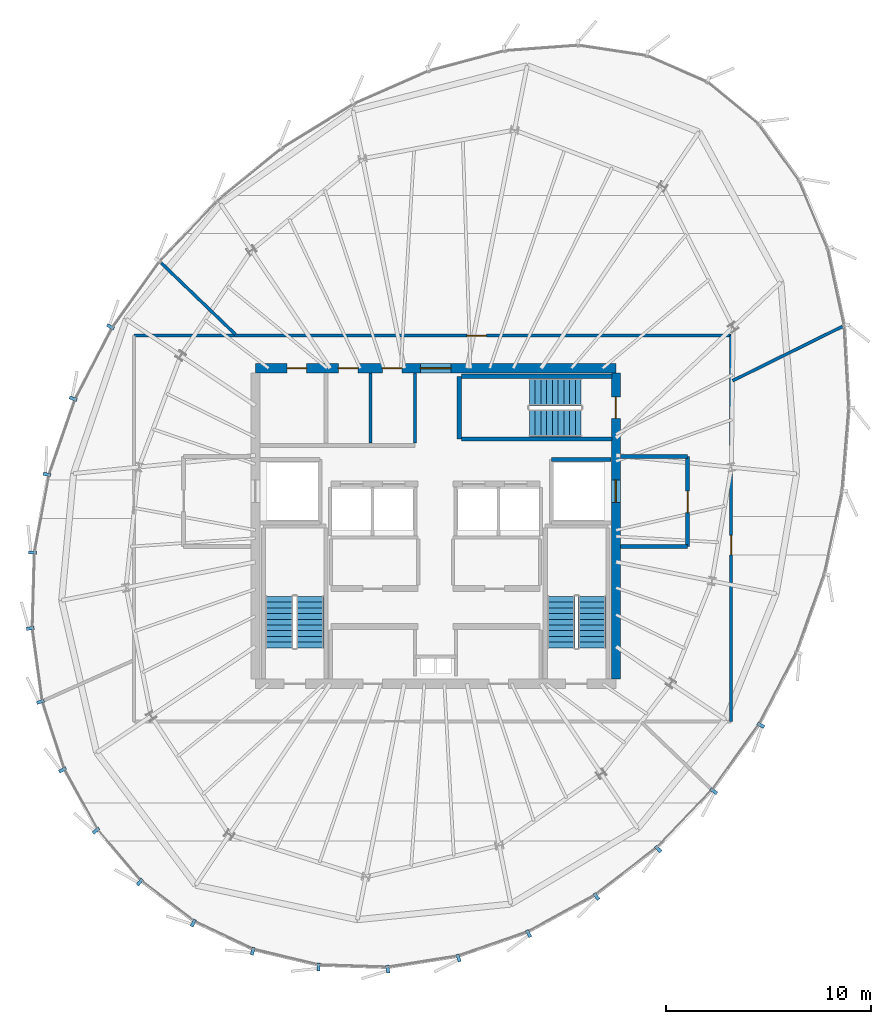
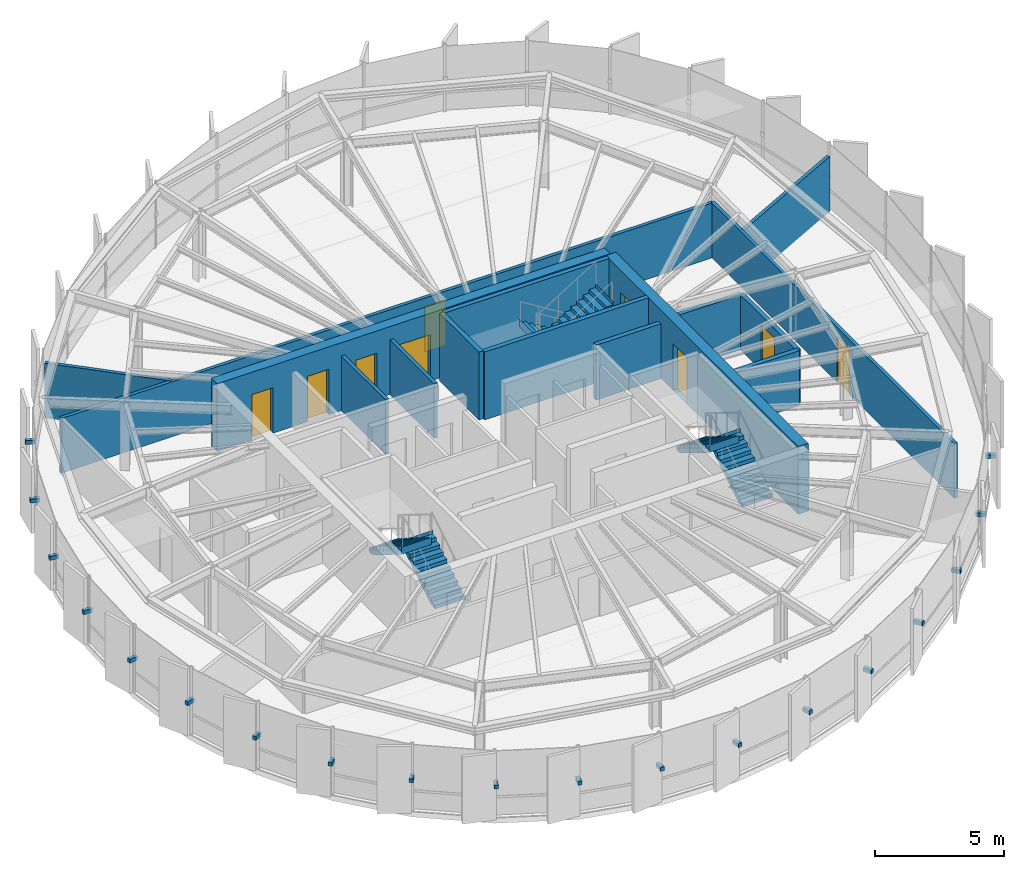
# One storey, part 26 of 31: 19 discrete accessories, 15 walls, 9 doors, 6 stair flights, 9 openings, 3 elements without a shape of their own.
"""IFC4 building model written with IfcOpenShell, lengths in metres."""

from ifc_helpers import new_model, si_unit, direction, frame, frame_2d, origin, origin_2d, place, context, subcontext, project, spatial, polyline, rectangle, outline, extrude, source, transform, mapped, material, layer, layer_set, type_object, element, fill, aggregate, save


model = new_model("IFC4")

# Units and contexts
model_context = context("Model", 3, precision=1e-05, world=origin(), true_north=direction((0.0, 1.0)))
body_context = subcontext(model_context, "Body", "Model", "MODEL_VIEW")
ifc_project = project(units=[si_unit("LENGTHUNIT", "METRE"), si_unit("AREAUNIT", "SQUARE_METRE"), si_unit("VOLUMEUNIT", "CUBIC_METRE"), si_unit("PLANEANGLEUNIT", "RADIAN"), si_unit("MASSUNIT", "GRAM", prefix="KILO"), si_unit("THERMODYNAMICTEMPERATUREUNIT", "KELVIN")], contexts=[model_context])

# Site, building, storey
site_placement = place(None, origin())
site = spatial("IfcSite", under=ifc_project, at=site_placement, CompositionType="ELEMENT")
building_placement = place(site_placement, origin())
building = spatial("IfcBuilding", under=site, at=building_placement, Name="Kethvar Cultural Tower", CompositionType="ELEMENT")
storey_placement = place(building_placement, frame((0.0, 0.0, 269.800048828125)))
storey = spatial("IfcBuildingStorey", under=building, at=storey_placement, Name="L71", CompositionType="ELEMENT", Elevation=269.800048828125)

# Wall, openings, doors
ifc_material_1 = material(Name="Concrete C50/60", Category="concrete")
ifc_layer_1 = layer(ifc_material_1, 0.449951171875, Name="Concrete C50/60", Category="concrete")
ifc_layer_set_1 = layer_set([ifc_layer_1], Name="Concrete C50/60 (450 mm)")
wall_type_1 = type_object("IfcWallType", Name="WL-CORE-450", PredefinedType="SHEAR", material=ifc_layer_set_1)
wall_1_placement = place(storey_placement, frame((55.60009765625, 35.5, 0.0), z_axis=(0.0, 0.0, 1.0), x_axis=(-1.0, 0.0, 0.0)))
wall_1 = element("IfcWall", 1, at=wall_1_placement, inside=storey, type_object=wall_type_1, Name="L71 Core Shear Wall N", PredefinedType="SHEAR", context=body_context, shape_type="SweptSolid", body=[
    extrude(rectangle(XDim=17.60009765625, YDim=0.449951171875, at=frame_2d((8.800048828125, 0.0))), origin(), (0.0, 0.0, 1.0), 3.2099609375),
])
opening_1_placement = place(wall_1_placement, frame((8.050048828125, 0.0, 0.0)))
opening_1 = element("IfcOpeningElement", 2, at=opening_1_placement, cuts=wall_1, Name="Opening D-L71-LN", PredefinedType="OPENING", context=body_context, shape_type="SweptSolid", body=[
    extrude(rectangle(XDim=1.5, YDim=2.199951171875, at=frame_2d((0.75, 1.10009765625))), frame((0.0, 0.23486328125, 0.0), z_axis=(0.0, -1.0, 0.0), x_axis=(1.0, 0.0, 0.0)), (0.0, 0.0, 1.0), 0.469970703125),
])
opening_2_placement = place(wall_1_placement, frame((15.10009765625, 0.0, 0.0)))
opening_2 = element("IfcOpeningElement", 3, at=opening_2_placement, cuts=wall_1, Name="Opening D-L71-E1", PredefinedType="OPENING", context=body_context, shape_type="SweptSolid", body=[
    extrude(rectangle(XDim=0.949951171875, YDim=2.14990234375, at=frame_2d((0.47509765625, 1.074951171875))), frame((0.0, 0.23486328125, 0.0), z_axis=(0.0, -1.0, 0.0), x_axis=(1.0, 0.0, 0.0)), (0.0, 0.0, 1.0), 0.469970703125),
])
opening_3_placement = place(wall_1_placement, frame((12.60009765625, 0.0, 0.0)))
opening_3 = element("IfcOpeningElement", 4, at=opening_3_placement, cuts=wall_1, Name="Opening D-L71-W1", PredefinedType="OPENING", context=body_context, shape_type="SweptSolid", body=[
    extrude(rectangle(XDim=0.949951171875, YDim=2.14990234375, at=frame_2d((0.47509765625, 1.074951171875))), frame((0.0, 0.23486328125, 0.0), z_axis=(0.0, -1.0, 0.0), x_axis=(1.0, 0.0, 0.0)), (0.0, 0.0, 1.0), 0.469970703125),
])
opening_4_placement = place(wall_1_placement, frame((10.449951171875, 0.0, 0.0)))
opening_4 = element("IfcOpeningElement", 5, at=opening_4_placement, cuts=wall_1, Name="Opening D-L71-W2", PredefinedType="OPENING", context=body_context, shape_type="SweptSolid", body=[
    extrude(rectangle(XDim=0.949951171875, YDim=2.14990234375, at=frame_2d((0.47509765625, 1.074951171875))), frame((0.0, 0.23486328125, 0.0), z_axis=(0.0, -1.0, 0.0), x_axis=(1.0, 0.0, 0.0)), (0.0, 0.0, 1.0), 0.469970703125),
])
ifc_material_2 = material(Name="Architectural Oak Timber", Category="wood")
door_type_1 = type_object("IfcDoorType", Name="DR-DBL-FD60-1500", OperationType="DOUBLE_DOOR_SINGLE_SWING", PredefinedType="DOOR", material=ifc_material_2)
shared_shape_1 = source(origin(), body_context, "Body", "SweptSolid", [
    extrude(rectangle(XDim=1.5, YDim=2.199951171875, at=frame_2d((0.75, 1.10009765625))), frame((0.0, 0.02490234375, 0.0), z_axis=(0.0, -1.0, 0.0), x_axis=(1.0, 0.0, 0.0)), (0.0, 0.0, 1.0), 0.050048828125),
])
door_1_placement = place(opening_1_placement, origin())
door_1 = element("IfcDoor", 6, at=door_1_placement, inside=storey, type_object=door_type_1, Name="L71 Lift Lobby Concourse Door", OperationType="DOUBLE_DOOR_SINGLE_SWING", OverallHeight=2.199951171875, OverallWidth=1.5, PredefinedType="DOOR", context=body_context, shape_type="MappedRepresentation", body=[
    mapped(shared_shape_1, transform((0.0, 0.0, 0.0), scale=1.0)),
])
fill(opening_1, door_1)
door_type_2 = type_object("IfcDoorType", Name="DR-FD30-950", OperationType="NOTDEFINED", PredefinedType="DOOR", material=ifc_material_2)
shared_shape_2 = source(origin(), body_context, "Body", "SweptSolid", [
    extrude(rectangle(XDim=0.949951171875, YDim=2.14990234375, at=frame_2d((0.47509765625, 1.074951171875))), frame((0.0, 0.02490234375, 0.0), z_axis=(0.0, -1.0, 0.0), x_axis=(1.0, 0.0, 0.0)), (0.0, 0.0, 1.0), 0.050048828125),
])
door_2_placement = place(opening_2_placement, origin())
door_2 = element("IfcDoor", 7, at=door_2_placement, inside=storey, type_object=door_type_2, Name="L71 Electrical Switchgear Door", OperationType="SINGLE_SWING_RIGHT", OverallHeight=2.14990234375, OverallWidth=0.949951171875, PredefinedType="DOOR", context=body_context, shape_type="MappedRepresentation", body=[
    mapped(shared_shape_2, transform((0.0, 0.0, 0.0), scale=1.0)),
])
fill(opening_2, door_2)
door_3_placement = place(opening_3_placement, origin())
door_3 = element("IfcDoor", 8, at=door_3_placement, inside=storey, type_object=door_type_2, Name="L71 Accessible Washroom Door", OperationType="SINGLE_SWING_LEFT", OverallHeight=2.14990234375, OverallWidth=0.949951171875, PredefinedType="DOOR", context=body_context, shape_type="MappedRepresentation", body=[
    mapped(shared_shape_2, transform((0.0, 0.0, 0.0), scale=1.0)),
])
fill(opening_3, door_3)
door_4_placement = place(opening_4_placement, origin())
door_4 = element("IfcDoor", 9, at=door_4_placement, inside=storey, type_object=door_type_2, Name="L71 Public Washroom Door", OperationType="SINGLE_SWING_RIGHT", OverallHeight=2.14990234375, OverallWidth=0.949951171875, PredefinedType="DOOR", context=body_context, shape_type="MappedRepresentation", body=[
    mapped(shared_shape_2, transform((0.0, 0.0, 0.0), scale=1.0)),
])
fill(opening_4, door_4)

wall_2_placement = place(storey_placement, frame((55.60009765625, 20.340087890625, 0.0), z_axis=(0.0, 0.0, 1.0), x_axis=(0.0, 1.0, 0.0)))
wall_2 = element("IfcWall", 10, at=wall_2_placement, inside=storey, type_object=wall_type_1, Name="L71 Core Shear Wall E", PredefinedType="SHEAR", context=body_context, shape_type="SweptSolid", body=[
    extrude(rectangle(XDim=14.919921875, YDim=0.449951171875, at=frame_2d((7.4599609375, 0.0))), origin(), (0.0, 0.0, 1.0), 3.2099609375),
])
opening_5_placement = place(wall_2_placement, frame((12.7099609375, 0.0, 0.0)))
opening_5 = element("IfcOpeningElement", 11, at=opening_5_placement, cuts=wall_2, Name="Opening D-L71-S3", PredefinedType="OPENING", context=body_context, shape_type="SweptSolid", body=[
    extrude(rectangle(XDim=1.050048828125, YDim=2.14990234375, at=frame_2d((0.52490234375, 1.074951171875))), frame((0.0, 0.23486328125, 0.0), z_axis=(0.0, -1.0, 0.0), x_axis=(1.0, 0.0, 0.0)), (0.0, 0.0, 1.0), 0.469970703125),
])
opening_6_placement = place(wall_2_placement, frame((8.610107421875, 0.0, 0.0)))
opening_6 = element("IfcOpeningElement", 12, at=opening_6_placement, cuts=wall_2, Name="Opening LD-2", PredefinedType="OPENING", context=body_context, shape_type="SweptSolid", body=[
    extrude(rectangle(XDim=1.10009765625, YDim=2.199951171875, at=frame_2d((0.550048828125, 1.10009765625))), frame((0.0, 0.23486328125, 0.0), z_axis=(0.0, -1.0, 0.0), x_axis=(1.0, 0.0, 0.0)), (0.0, 0.0, 1.0), 0.469970703125),
])
ifc_material_3 = material(Name="Steel S355J2", Category="steel")
door_type_3 = type_object("IfcDoorType", Name="DR-FD60-1050", OperationType="NOTDEFINED", PredefinedType="DOOR", material=ifc_material_3)
shared_shape_3 = source(origin(), body_context, "Body", "SweptSolid", [
    extrude(rectangle(XDim=1.050048828125, YDim=2.14990234375, at=frame_2d((0.52490234375, 1.074951171875))), frame((0.0, 0.02490234375, 0.0), z_axis=(0.0, -1.0, 0.0), x_axis=(1.0, 0.0, 0.0)), (0.0, 0.0, 1.0), 0.050048828125),
])
door_5_placement = place(opening_5_placement, origin())
door_5 = element("IfcDoor", 13, at=door_5_placement, inside=storey, type_object=door_type_3, Name="L71 Exit Stair 3 Door", OperationType="SINGLE_SWING_LEFT", OverallHeight=2.14990234375, OverallWidth=1.050048828125, PredefinedType="DOOR", context=body_context, shape_type="MappedRepresentation", body=[
    mapped(shared_shape_3, transform((0.0, 0.0, 0.0), scale=1.0)),
])
fill(opening_5, door_5)
door_type_4 = type_object("IfcDoorType", Name="DR-LIFT-SLIDE-1100", OperationType="NOTDEFINED", PredefinedType="DOOR", material=ifc_material_3)
shared_shape_4 = source(origin(), body_context, "Body", "SweptSolid", [
    extrude(rectangle(XDim=1.10009765625, YDim=2.199951171875, at=frame_2d((0.550048828125, 1.10009765625))), frame((0.0, 0.02490234375, 0.0), z_axis=(0.0, -1.0, 0.0), x_axis=(1.0, 0.0, 0.0)), (0.0, 0.0, 1.0), 0.050048828125),
])
door_6_placement = place(opening_6_placement, origin())
door_6 = element("IfcDoor", 14, at=door_6_placement, inside=storey, type_object=door_type_4, Name="L71 Firefighting Lift Landing Door FFL-02", OperationType="SLIDING_TO_RIGHT", OverallHeight=2.199951171875, OverallWidth=1.10009765625, PredefinedType="DOOR", context=body_context, shape_type="MappedRepresentation", body=[
    mapped(shared_shape_4, transform((0.0, 0.0, 0.0), scale=1.0)),
])
fill(opening_6, door_6)

# Wall
ifc_material_4 = material(Name="Gypsum Fireboard Partition")
ifc_layer_2 = layer(ifc_material_4, 0.14990234375, Name="Gypsum Fireboard Partition")
ifc_layer_set_2 = layer_set([ifc_layer_2], Name="Gypsum Fireboard Partition (150 mm)")
wall_type_2 = type_object("IfcWallType", Name="WL-FIRE-150", PredefinedType="PARTITIONING", material=ifc_layer_set_2)
wall_3_placement = place(storey_placement, frame((45.800048828125, 31.85009765625, 0.0), z_axis=(0.0, 0.0, 1.0), x_axis=(0.0, 1.0, 0.0)))
element("IfcWall", 15, at=wall_3_placement, inside=storey, type_object=wall_type_2, Name="L71 Sanitary Spine Wall", PredefinedType="PARTITIONING", context=body_context, shape_type="SweptSolid", body=[
    extrude(rectangle(XDim=3.414794921875, YDim=0.14990234375, at=frame_2d((1.70751953125, 0.0))), origin(), (0.0, 0.0, 1.0), 2.594970703125),
])

# Wall, opening, door
wall_4_placement = place(storey_placement, frame((61.22607421875, 18.26904296875, 0.0), z_axis=(0.0, 0.0, 1.0), x_axis=(0.0, 1.0, 0.0)))
wall_4 = element("IfcWall", 16, at=wall_4_placement, inside=storey, type_object=wall_type_2, Name="L71 Corridor Rated Wall E", PredefinedType="PARTITIONING", context=body_context, shape_type="SweptSolid", body=[
    extrude(rectangle(XDim=18.8310546875, YDim=0.14990234375, at=frame_2d((9.41552734375, 0.0))), origin(), (0.0, 0.0, 1.0), 2.594970703125),
])
opening_7_placement = place(wall_4_placement, frame((8.12548828125, 0.0, 0.0)))
opening_7 = element("IfcOpeningElement", 17, at=opening_7_placement, cuts=wall_4, Name="Opening D-L71-02", PredefinedType="OPENING", context=body_context, shape_type="SweptSolid", body=[
    extrude(rectangle(XDim=0.949951171875, YDim=2.14990234375, at=frame_2d((0.47509765625, 1.074951171875))), frame((0.0, 0.0849609375, 0.0), z_axis=(0.0, -1.0, 0.0), x_axis=(1.0, 0.0, 0.0)), (0.0, 0.0, 1.0), 0.169921875),
])
door_7_placement = place(opening_7_placement, origin())
door_7 = element("IfcDoor", 18, at=door_7_placement, inside=storey, type_object=door_type_2, Name="L71 Registrar Staff Room 02 Door", OperationType="SINGLE_SWING_LEFT", OverallHeight=2.14990234375, OverallWidth=0.949951171875, PredefinedType="DOOR", context=body_context, shape_type="MappedRepresentation", body=[
    mapped(shared_shape_2, transform((0.0, 0.0, 0.0), scale=1.0)),
])
fill(opening_7, door_7)

wall_5_placement = place(storey_placement, frame((61.22607421875, 37.10009765625, 0.0), z_axis=(0.0, 0.0, 1.0), x_axis=(-1.0, 0.0, 0.0)))
wall_5 = element("IfcWall", 19, at=wall_5_placement, inside=storey, type_object=wall_type_2, Name="L71 Corridor Rated Wall N", PredefinedType="PARTITIONING", context=body_context, shape_type="SweptSolid", body=[
    extrude(rectangle(XDim=29.156005859375, YDim=0.14990234375, at=frame_2d((14.578125, 0.0))), origin(), (0.0, 0.0, 1.0), 2.594970703125),
])
opening_8_placement = place(wall_5_placement, frame((11.948974609375, 0.0, 0.0)))
opening_8 = element("IfcOpeningElement", 20, at=opening_8_placement, cuts=wall_5, Name="Opening D-L71-03", PredefinedType="OPENING", context=body_context, shape_type="SweptSolid", body=[
    extrude(rectangle(XDim=0.949951171875, YDim=2.14990234375, at=frame_2d((0.47509765625, 1.074951171875))), frame((0.0, 0.0849609375, 0.0), z_axis=(0.0, -1.0, 0.0), x_axis=(1.0, 0.0, 0.0)), (0.0, 0.0, 1.0), 0.169921875),
])
door_8_placement = place(opening_8_placement, origin())
door_8 = element("IfcDoor", 21, at=door_8_placement, inside=storey, type_object=door_type_2, Name="L71 Delegation Briefing Foyer 03 Door", OperationType="SINGLE_SWING_RIGHT", OverallHeight=2.14990234375, OverallWidth=0.949951171875, PredefinedType="DOOR", context=body_context, shape_type="MappedRepresentation", body=[
    mapped(shared_shape_2, transform((0.0, 0.0, 0.0), scale=1.0)),
])
fill(opening_8, door_8)

# Wall
ifc_material_5 = material(Name="Concrete C40/50", Category="concrete")
ifc_layer_3 = layer(ifc_material_5, 0.199951171875, Name="Concrete C40/50", Category="concrete")
ifc_layer_set_3 = layer_set([ifc_layer_3], Name="Concrete C40/50 (200 mm)")
wall_type_3 = type_object("IfcWallType", Name="WL-FIRE-200", PredefinedType="PARTITIONING", material=ifc_layer_set_3)
wall_6_placement = place(storey_placement, frame((52.449951171875, 31.050048828125, 0.0), z_axis=(0.0, 0.0, 1.0), x_axis=(1.0, 0.0, 0.0)))
element("IfcWall", 22, at=wall_6_placement, inside=storey, type_object=wall_type_3, Name="L71 FFL-02 Shaft North Wall", PredefinedType="PARTITIONING", context=body_context, shape_type="SweptSolid", body=[
    extrude(rectangle(XDim=2.9150390625, YDim=0.199951171875, at=frame_2d((1.45751953125, 0.0))), origin(), (0.0, 0.0, 1.0), 2.594970703125),
])

# Wall, opening, door
wall_7_placement = place(storey_placement, frame((59.10009765625, 26.800048828125, 0.0), z_axis=(0.0, 0.0, 1.0), x_axis=(0.0, 1.0, 0.0)))
wall_7 = element("IfcWall", 23, at=wall_7_placement, inside=storey, type_object=wall_type_3, Name="L71 Firefighting Lobby 2 Wall", PredefinedType="PARTITIONING", context=body_context, shape_type="SweptSolid", body=[
    extrude(rectangle(XDim=4.39990234375, YDim=0.199951171875, at=frame_2d((2.199951171875, 0.0))), origin(), (0.0, 0.0, 1.0), 2.594970703125),
])
opening_9_placement = place(wall_7_placement, frame((1.64990234375, 0.0, 0.0)))
opening_9 = element("IfcOpeningElement", 24, at=opening_9_placement, cuts=wall_7, Name="Opening D-L71-F2", PredefinedType="OPENING", context=body_context, shape_type="SweptSolid", body=[
    extrude(rectangle(XDim=1.050048828125, YDim=2.14990234375, at=frame_2d((0.52490234375, 1.074951171875))), frame((0.0, 0.10986328125, 0.0), z_axis=(0.0, -1.0, 0.0), x_axis=(1.0, 0.0, 0.0)), (0.0, 0.0, 1.0), 0.219970703125),
])
door_9_placement = place(opening_9_placement, origin())
door_9 = element("IfcDoor", 25, at=door_9_placement, inside=storey, type_object=door_type_3, Name="L71 Firefighting Lobby 2 Fire Door", OperationType="SINGLE_SWING_LEFT", OverallHeight=2.14990234375, OverallWidth=1.050048828125, PredefinedType="DOOR", context=body_context, shape_type="MappedRepresentation", body=[
    mapped(shared_shape_3, transform((0.0, 0.0, 0.0), scale=1.0)),
])
fill(opening_9, door_9)

# Walls
for number, where, z_axis, x_axis, name in (
    (26, (55.8349609375, 26.800048828125, 0.0), (0.0, 0.0, 1.0), (1.0, 0.0, 0.0), "L71 FF Lobby 2 South Wall"),
    (27, (55.8349609375, 31.199951171875, 0.0), (0.0, 0.0, 1.0), (1.0, 0.0, 0.0), "L71 FF Lobby 2 North Wall"),
):
    element("IfcWall", number, at=place(storey_placement, frame(where, z_axis=z_axis, x_axis=x_axis)), inside=storey, type_object=wall_type_3, Name=name, PredefinedType="PARTITIONING", context=body_context, shape_type="SweptSolid", body=[
        extrude(rectangle(XDim=3.26513671875, YDim=0.199951171875, at=frame_2d((1.632568359375, 0.0))), origin(), (0.0, 0.0, 1.0), 2.594970703125),
    ])
ifc_material_6 = material(Name="Gypsum Acoustic Partition")
ifc_layer_4 = layer(ifc_material_6, 0.14990234375, Name="Gypsum Acoustic Partition")
ifc_layer_set_4 = layer_set([ifc_layer_4], Name="Gypsum Acoustic Partition (150 mm)")
wall_type_4 = type_object("IfcWallType", Name="WL-PART-150", PredefinedType="PARTITIONING", material=ifc_layer_set_4)
wall_8_placement = place(storey_placement, frame((61.297607421875, 34.8935546875, 0.0), z_axis=(0.0, 0.0, 1.0), x_axis=(0.896516981109, 0.443009370763, 0.0)))
element("IfcWall", 28, at=wall_8_placement, inside=storey, type_object=wall_type_4, Name="L71 Radial Partition Wall 03", PredefinedType="PARTITIONING", context=body_context, shape_type="SweptSolid", body=[
    extrude(rectangle(XDim=5.9765625, YDim=0.14990234375, at=frame_2d((2.98828125, 0.0))), origin(), (0.0, 0.0, 1.0), 2.594970703125),
])
wall_9_placement = place(storey_placement, frame((37.025390625, 37.155517578125, 0.0), z_axis=(0.0, 0.0, 1.0), x_axis=(-0.720562610488, 0.693389879049, 0.0)))
element("IfcWall", 29, at=wall_9_placement, inside=storey, type_object=wall_type_4, Name="L71 Radial Partition Wall 04", PredefinedType="PARTITIONING", context=body_context, shape_type="SweptSolid", body=[
    extrude(rectangle(XDim=5.031494140625, YDim=0.14990234375, at=frame_2d((2.515625, 0.0))), origin(), (0.0, 0.0, 1.0), 2.594970703125),
])
ifc_material_7 = material(Name="Moisture-Resistant Sanitary Chase Wall")
ifc_layer_5 = layer(ifc_material_7, 0.14990234375, Name="Moisture-Resistant Sanitary Chase Wall")
ifc_layer_set_5 = layer_set([ifc_layer_5], Name="Moisture-Resistant Sanitary Chase Wall (150 mm)")
wall_type_5 = type_object("IfcWallType", Name="WL-PLUMB-150", PredefinedType="PLUMBINGWALL", material=ifc_layer_set_5)
wall_10_placement = place(storey_placement, frame((43.6201171875, 31.85009765625, 0.0), z_axis=(0.0, 0.0, 1.0), x_axis=(0.0, 1.0, 0.0)))
element("IfcWall", 30, at=wall_10_placement, inside=storey, type_object=wall_type_5, Name="L71 Sanitary Plumbing Wall", PredefinedType="PLUMBINGWALL", context=body_context, shape_type="SweptSolid", body=[
    extrude(rectangle(XDim=3.414794921875, YDim=0.14990234375, at=frame_2d((1.70751953125, 0.0))), origin(), (0.0, 0.0, 1.0), 2.594970703125),
])
ifc_layer_6 = layer(ifc_material_1, 0.199951171875, Name="Concrete C50/60", Category="concrete")
ifc_layer_set_6 = layer_set([ifc_layer_6], Name="Concrete C50/60 (200 mm)")
wall_type_6 = type_object("IfcWallType", Name="WL-STSHAFT-200", PredefinedType="SHEAR", material=ifc_layer_set_6)
wall_11_placement = place(storey_placement, frame((47.949951171875, 32.050048828125, 0.0), z_axis=(0.0, 0.0, 1.0), x_axis=(0.0, 1.0, 0.0)))
element("IfcWall", 31, at=wall_11_placement, inside=storey, type_object=wall_type_6, Name="L71 ST-03 Stair Shaft Wall FAR", PredefinedType="SHEAR", context=body_context, shape_type="SweptSolid", body=[
    extrude(rectangle(XDim=3.06005859375, YDim=0.199951171875, at=frame_2d((1.530029296875, 0.0))), origin(), (0.0, 0.0, 1.0), 3.2099609375),
])
for number, where, z_axis, x_axis, name in (
    (32, (48.050048828125, 35.110107421875, 0.0), (0.0, 0.0, 1.0), (1.0, 0.0, 0.0), "L71 ST-03 Stair Shaft Wall LEFT"),
    (33, (55.39990234375, 32.050048828125, 0.0), (0.0, 0.0, 1.0), (-1.0, 0.0, 0.0), "L71 ST-03 Stair Shaft Wall RIGHT"),
):
    element("IfcWall", number, at=place(storey_placement, frame(where, z_axis=z_axis, x_axis=x_axis)), inside=storey, type_object=wall_type_6, Name=name, PredefinedType="SHEAR", context=body_context, shape_type="SweptSolid", body=[
        extrude(rectangle(XDim=7.349853515625, YDim=0.199951171875, at=frame_2d((3.6748046875, 0.0))), origin(), (0.0, 0.0, 1.0), 3.2099609375),
    ])

# Stair, stair flights
stair_type = type_object("IfcStairType", Name="ST-DOGLEG-135", PredefinedType="HALF_TURN_STAIR", material=ifc_material_5)
stair_1_placement = place(storey_placement, origin())
stair_1 = element("IfcStair", 34, at=stair_1_placement, inside=storey, type_object=stair_type, Name="L71 Core Exit Stair 1", PredefinedType="HALF_TURN_STAIR")
stair_flight_type = type_object("IfcStairFlightType", Name="FL-STRAIGHT-135", PredefinedType="STRAIGHT", material=ifc_material_5)
stair_flight_1_placement = place(storey_placement, frame((40.675048828125, 21.85009765625, 0.0), z_axis=(0.0, 0.0, 1.0), x_axis=(0.0, 1.0, 0.0)))
stair_flight_1 = element("IfcStairFlight", 35, at=stair_flight_1_placement, type_object=stair_flight_type, Name="ST-01 flight 1", NumberOfRisers=10, NumberOfTreads=9, PredefinedType="STRAIGHT", RiserHeight=0.1725, TreadLength=0.28, context=body_context, shape_type="SweptSolid", body=[
    extrude(outline(polyline([(-0.0009765625, -0.0009765625), (-0.0009765625, 0.172607421875), (0.280029296875, 0.172607421875), (0.280029296875, 0.344970703125), (0.56005859375, 0.344970703125), (0.56005859375, 0.517578125), (0.840087890625, 0.517578125), (0.840087890625, 0.68994140625), (1.1201171875, 0.68994140625), (1.1201171875, 0.862548828125), (1.39990234375, 0.862548828125), (1.39990234375, 1.034912109375), (1.679931640625, 1.034912109375), (1.679931640625, 1.20751953125), (1.9599609375, 1.20751953125), (1.9599609375, 1.3798828125), (2.239990234375, 1.3798828125), (2.239990234375, 1.552490234375), (2.52001953125, 1.552490234375), (2.52001953125, 1.72509765625), (2.52099609375, 1.72509765625), (2.52099609375, 1.37646484375), (0.285888671875, 0.0), (0.0, -0.0009765625), (-0.0009765625, -0.0009765625)])), frame((0.0, 0.675048828125, 0.0), z_axis=(0.0, -1.0, 0.0), x_axis=(1.0, 0.0, 0.0)), (0.0, 0.0, 1.0), 1.35009765625),
])
stair_flight_2_placement = place(storey_placement, frame((39.1650390625, 24.3701171875, 1.724853515625), z_axis=(0.0, 0.0, 1.0), x_axis=(0.0, -1.0, 0.0)))
stair_flight_2 = element("IfcStairFlight", 36, at=stair_flight_2_placement, type_object=stair_flight_type, Name="ST-01 flight 2", NumberOfRisers=10, NumberOfTreads=9, PredefinedType="STRAIGHT", RiserHeight=0.1725, TreadLength=0.28, context=body_context, shape_type="SweptSolid", body=[
    extrude(outline(polyline([(-0.0009765625, -0.0009765625), (-0.0009765625, 0.172607421875), (0.280029296875, 0.172607421875), (0.280029296875, 0.344970703125), (0.56005859375, 0.344970703125), (0.56005859375, 0.517578125), (0.840087890625, 0.517578125), (0.840087890625, 0.68994140625), (1.1201171875, 0.68994140625), (1.1201171875, 0.862548828125), (1.39990234375, 0.862548828125), (1.39990234375, 1.034912109375), (1.679931640625, 1.034912109375), (1.679931640625, 1.20751953125), (1.9599609375, 1.20751953125), (1.9599609375, 1.3798828125), (2.239990234375, 1.3798828125), (2.239990234375, 1.552490234375), (2.52001953125, 1.552490234375), (2.52001953125, 1.72509765625), (2.52099609375, 1.72509765625), (2.52099609375, 1.37646484375), (0.285888671875, 0.0), (0.0, -0.0009765625), (-0.0009765625, -0.0009765625)])), frame((0.0, 0.675048828125, 0.0), z_axis=(0.0, -1.0, 0.0), x_axis=(1.0, 0.0, 0.0)), (0.0, 0.0, 1.0), 1.35009765625),
])
aggregate(stair_1, [stair_flight_1, stair_flight_2])

stair_2_placement = place(storey_placement, origin())
stair_2 = element("IfcStair", 37, at=stair_2_placement, inside=storey, type_object=stair_type, Name="L71 Core Exit Stair 2", PredefinedType="HALF_TURN_STAIR")
stair_flight_3_placement = place(storey_placement, frame((54.43505859375, 21.85009765625, 0.0), z_axis=(0.0, 0.0, 1.0), x_axis=(0.0, 1.0, 0.0)))
stair_flight_3 = element("IfcStairFlight", 38, at=stair_flight_3_placement, type_object=stair_flight_type, Name="ST-02 flight 1", NumberOfRisers=10, NumberOfTreads=9, PredefinedType="STRAIGHT", RiserHeight=0.1725, TreadLength=0.28, context=body_context, shape_type="SweptSolid", body=[
    extrude(outline(polyline([(-0.0009765625, -0.0009765625), (-0.0009765625, 0.172607421875), (0.280029296875, 0.172607421875), (0.280029296875, 0.344970703125), (0.56005859375, 0.344970703125), (0.56005859375, 0.517578125), (0.840087890625, 0.517578125), (0.840087890625, 0.68994140625), (1.1201171875, 0.68994140625), (1.1201171875, 0.862548828125), (1.39990234375, 0.862548828125), (1.39990234375, 1.034912109375), (1.679931640625, 1.034912109375), (1.679931640625, 1.20751953125), (1.9599609375, 1.20751953125), (1.9599609375, 1.3798828125), (2.239990234375, 1.3798828125), (2.239990234375, 1.552490234375), (2.52001953125, 1.552490234375), (2.52001953125, 1.72509765625), (2.52099609375, 1.72509765625), (2.52099609375, 1.37646484375), (0.285888671875, 0.0), (0.0, -0.0009765625), (-0.0009765625, -0.0009765625)])), frame((0.0, 0.675048828125, 0.0), z_axis=(0.0, -1.0, 0.0), x_axis=(1.0, 0.0, 0.0)), (0.0, 0.0, 1.0), 1.35009765625),
])
stair_flight_4_placement = place(storey_placement, frame((52.925048828125, 24.3701171875, 1.724853515625), z_axis=(0.0, 0.0, 1.0), x_axis=(0.0, -1.0, 0.0)))
stair_flight_4 = element("IfcStairFlight", 39, at=stair_flight_4_placement, type_object=stair_flight_type, Name="ST-02 flight 2", NumberOfRisers=10, NumberOfTreads=9, PredefinedType="STRAIGHT", RiserHeight=0.1725, TreadLength=0.28, context=body_context, shape_type="SweptSolid", body=[
    extrude(outline(polyline([(-0.0009765625, -0.0009765625), (-0.0009765625, 0.172607421875), (0.280029296875, 0.172607421875), (0.280029296875, 0.344970703125), (0.56005859375, 0.344970703125), (0.56005859375, 0.517578125), (0.840087890625, 0.517578125), (0.840087890625, 0.68994140625), (1.1201171875, 0.68994140625), (1.1201171875, 0.862548828125), (1.39990234375, 0.862548828125), (1.39990234375, 1.034912109375), (1.679931640625, 1.034912109375), (1.679931640625, 1.20751953125), (1.9599609375, 1.20751953125), (1.9599609375, 1.3798828125), (2.239990234375, 1.3798828125), (2.239990234375, 1.552490234375), (2.52001953125, 1.552490234375), (2.52001953125, 1.72509765625), (2.52099609375, 1.72509765625), (2.52099609375, 1.37646484375), (0.285888671875, 0.0), (0.0, -0.0009765625), (-0.0009765625, -0.0009765625)])), frame((0.0, 0.675048828125, 0.0), z_axis=(0.0, -1.0, 0.0), x_axis=(1.0, 0.0, 0.0)), (0.0, 0.0, 1.0), 1.35009765625),
])
aggregate(stair_2, [stair_flight_3, stair_flight_4])

stair_3_placement = place(storey_placement, origin())
stair_3 = element("IfcStair", 40, at=stair_3_placement, inside=storey, type_object=stair_type, Name="L71 Core Exit Stair 3", PredefinedType="HALF_TURN_STAIR")
stair_flight_5_placement = place(storey_placement, frame((53.89990234375, 34.3349609375, 0.0), z_axis=(0.0, 0.0, 1.0), x_axis=(-1.0, 0.0, 0.0)))
stair_flight_5 = element("IfcStairFlight", 41, at=stair_flight_5_placement, type_object=stair_flight_type, Name="ST-03 flight 1", NumberOfRisers=10, NumberOfTreads=9, PredefinedType="STRAIGHT", RiserHeight=0.1725, TreadLength=0.28, context=body_context, shape_type="SweptSolid", body=[
    extrude(outline(polyline([(-0.0009765625, -0.0009765625), (-0.0009765625, 0.172607421875), (0.280029296875, 0.172607421875), (0.280029296875, 0.344970703125), (0.56005859375, 0.344970703125), (0.56005859375, 0.517578125), (0.840087890625, 0.517578125), (0.840087890625, 0.68994140625), (1.1201171875, 0.68994140625), (1.1201171875, 0.862548828125), (1.39990234375, 0.862548828125), (1.39990234375, 1.034912109375), (1.679931640625, 1.034912109375), (1.679931640625, 1.20751953125), (1.9599609375, 1.20751953125), (1.9599609375, 1.3798828125), (2.239990234375, 1.3798828125), (2.239990234375, 1.552490234375), (2.52001953125, 1.552490234375), (2.52001953125, 1.72509765625), (2.52099609375, 1.72509765625), (2.52099609375, 1.37646484375), (0.285888671875, 0.0), (0.0, -0.0009765625), (-0.0009765625, -0.0009765625)])), frame((0.0, 0.675048828125, 0.0), z_axis=(0.0, -1.0, 0.0), x_axis=(1.0, 0.0, 0.0)), (0.0, 0.0, 1.0), 1.35009765625),
])
stair_flight_6_placement = place(storey_placement, frame((51.3798828125, 32.824951171875, 1.724853515625), z_axis=(0.0, 0.0, 1.0), x_axis=(1.0, 0.0, 0.0)))
stair_flight_6 = element("IfcStairFlight", 42, at=stair_flight_6_placement, type_object=stair_flight_type, Name="ST-03 flight 2", NumberOfRisers=10, NumberOfTreads=9, PredefinedType="STRAIGHT", RiserHeight=0.1725, TreadLength=0.28, context=body_context, shape_type="SweptSolid", body=[
    extrude(outline(polyline([(-0.0009765625, -0.0009765625), (-0.0009765625, 0.172607421875), (0.280029296875, 0.172607421875), (0.280029296875, 0.344970703125), (0.56005859375, 0.344970703125), (0.56005859375, 0.517578125), (0.840087890625, 0.517578125), (0.840087890625, 0.68994140625), (1.1201171875, 0.68994140625), (1.1201171875, 0.862548828125), (1.39990234375, 0.862548828125), (1.39990234375, 1.034912109375), (1.679931640625, 1.034912109375), (1.679931640625, 1.20751953125), (1.9599609375, 1.20751953125), (1.9599609375, 1.3798828125), (2.239990234375, 1.3798828125), (2.239990234375, 1.552490234375), (2.52001953125, 1.552490234375), (2.52001953125, 1.72509765625), (2.52099609375, 1.72509765625), (2.52099609375, 1.37646484375), (0.285888671875, 0.0), (0.0, -0.0009765625), (-0.0009765625, -0.0009765625)])), frame((0.0, 0.675048828125, 0.0), z_axis=(0.0, -1.0, 0.0), x_axis=(1.0, 0.0, 0.0)), (0.0, 0.0, 1.0), 1.35009765625),
])
aggregate(stair_3, [stair_flight_5, stair_flight_6])

# Discrete accessories
discrete_accessory_type = type_object("IfcDiscreteAccessoryType", Name="Steel Fin Bracket BRK-01", PredefinedType="BRACKET", material=ifc_material_3)
shared_shape_5 = source(origin(), body_context, "Body", "SweptSolid", [
    extrude(rectangle(XDim=0.3798828125, YDim=0.159912109375, at=origin_2d()), origin(), (0.0, 0.0, 1.0), 0.179931640625),
])
for number, where, z_axis, x_axis, name in (
    (43, (30.926025390625, 37.526611328125, 1.51513671875), (0.0, 0.0, 1.0), (-0.887815385136, 0.460199784784, 0.0), "L71 Terracotta Fin Bracket 2.4"),
    (44, (29.107177734375, 34.01708984375, 1.51513671875), (0.0, 0.0, 1.0), (-0.944891787468, 0.327382818692, 0.0), "L71 Terracotta Fin Bracket 2.5"),
    (45, (27.82568359375, 30.318603515625, 1.51513671875), (0.0, 0.0, 1.0), (-0.982999500399, 0.183608230249, 0.0), "L71 Terracotta Fin Bracket 2.6"),
    (46, (27.11962890625, 26.5078125, 1.51513671875), (0.0, 0.0, 1.0), (-0.999590378462, 0.028619491372, 0.0), "L71 Terracotta Fin Bracket 3.1"),
    (47, (27.013671875, 22.806396484375, 1.51513671875), (0.0, 0.0, 1.0), (-0.990629029058, -0.136580111242, 0.0), "L71 Terracotta Fin Bracket 3.2"),
    (48, (27.5078125, 19.220947265625, 1.51513671875), (0.0, 0.0, 1.0), (-0.951056516295, -0.309016994375, 0.0), "L71 Terracotta Fin Bracket 3.3"),
    (49, (28.588134765625, 15.89599609375, 1.51513671875), (0.0, 0.0, 1.0), (-0.875717453046, -0.482823924874, 0.0), "L71 Terracotta Fin Bracket 3.4"),
    (50, (30.221923828125, 12.932861328125, 1.51513671875), (0.0, 0.0, 1.0), (-0.761538307537, -0.648119901063, 0.0), "L71 Terracotta Fin Bracket 3.5"),
    (51, (32.359619140625, 10.42138671875, 1.51513671875), (0.0, 0.0, 1.0), (-0.61000687398, -0.792396121708, 0.0), "L71 Terracotta Fin Bracket 3.6"),
    (52, (34.968505859375, 8.422607421875, 1.51513671875), (0.0, 0.0, 1.0), (-0.42909278862, -0.903260415802, 0.0), "L71 Terracotta Fin Bracket 4.1"),
    (53, (37.873291015625, 7.043212890625, 1.51513671875), (0.0, 0.0, 1.0), (-0.231747903494, -0.972775878209, 0.0), "L71 Terracotta Fin Bracket 4.2"),
    (54, (41.08154296875, 6.279052734375, 1.51513671875), (0.0, 0.0, 1.0), (-0.032631862958, -0.999467438949, 0.0), "L71 Terracotta Fin Bracket 4.3"),
    (55, (44.46337890625, 6.1689453125, 1.51513671875), (0.0, 0.0, 1.0), (0.15643446504, -0.987688340595, 0.0), "L71 Terracotta Fin Bracket 4.4"),
    (56, (47.916259765625, 6.71630859375, 1.51513671875), (0.0, 0.0, 1.0), (0.328207267568, -0.944605732311, 0.0), "L71 Terracotta Fin Bracket 4.5"),
    (57, (51.3349609375, 7.90380859375, 1.51513671875), (0.0, 0.0, 1.0), (0.479304688984, -0.877648571535, 0.0), "L71 Terracotta Fin Bracket 4.6"),
    (58, (54.644287109375, 9.7177734375, 1.51513671875), (0.0, 0.0, 1.0), (0.609868565477, -0.792502575922, 0.0), "L71 Terracotta Fin Bracket 5.1"),
    (59, (57.6591796875, 12.0380859375, 1.51513671875), (0.0, 0.0, 1.0), (0.720672122155, -0.693276057822, 0.0), "L71 Terracotta Fin Bracket 5.2"),
    (60, (60.372802734375, 14.859130859375, 1.51513671875), (0.0, 0.0, 1.0), (0.813100761047, -0.582122970157, 0.0), "L71 Terracotta Fin Bracket 5.3"),
    (61, (62.673828125, 18.0732421875, 1.51513671875), (0.0, 0.0, 1.0), (0.887574303404, -0.460664580728, 0.0), "L71 Terracotta Fin Bracket 5.4"),
):
    element("IfcDiscreteAccessory", number, at=place(storey_placement, frame(where, z_axis=z_axis, x_axis=x_axis)), inside=storey, type_object=discrete_accessory_type, Name=name, PredefinedType="BRACKET", context=body_context, shape_type="MappedRepresentation", body=[
        mapped(shared_shape_5, transform((0.0, 0.0, 0.0), scale=1.0)),
    ])

save(model, "model.ifc")
